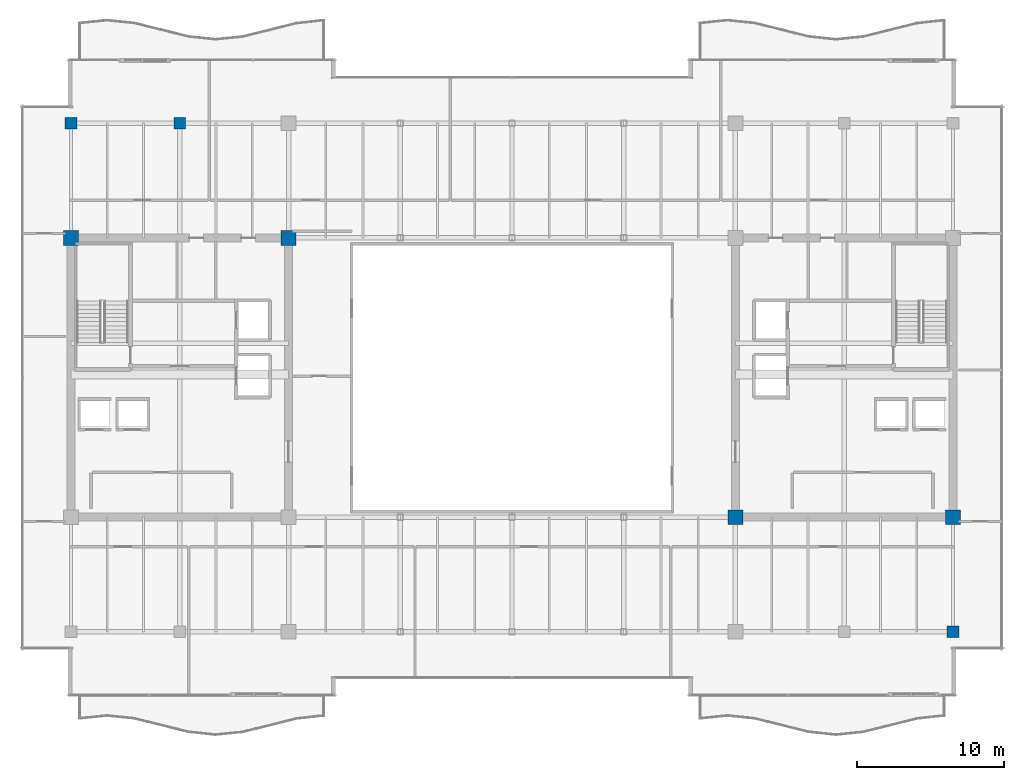
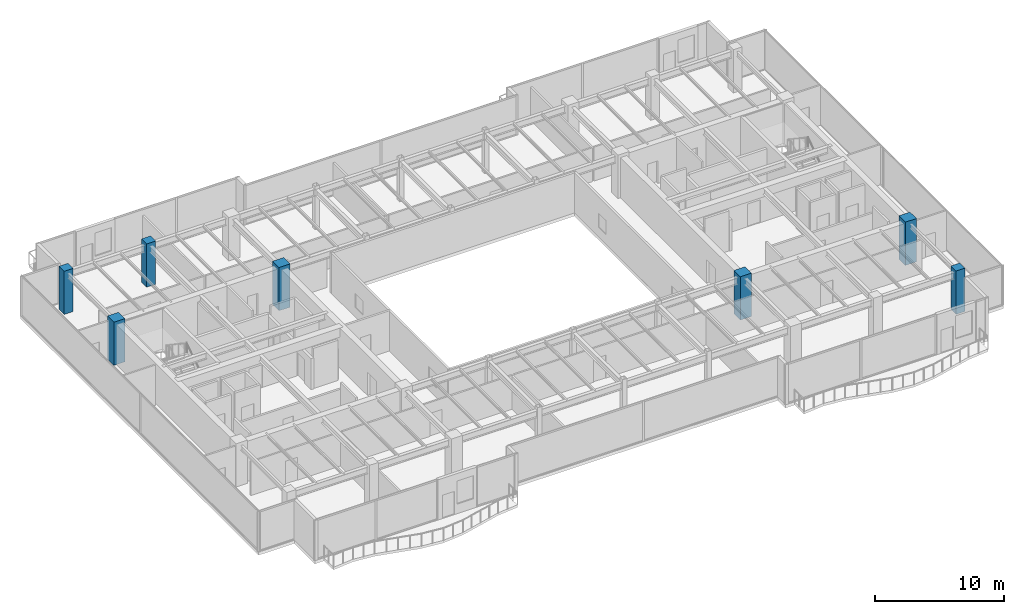
# One storey, part 2 of 34: 7 columns.
"""IFC4 building model written with IfcOpenShell, lengths in metres."""

from ifc_helpers import new_model, si_unit, direction, frame, origin, origin_2d, place, context, subcontext, project, spatial, rectangle, extrude, source, transform, mapped, material, material_profile, profile_set, type_object, type_shapes, element, save


model = new_model("IFC4")

# Units and contexts
model_context = context("Model", 3, precision=1e-05, world=origin(), true_north=direction((0.0, 1.0)))
body_context = subcontext(model_context, "Body", "Model", "MODEL_VIEW")
ifc_project = project(units=[si_unit("LENGTHUNIT", "METRE"), si_unit("AREAUNIT", "SQUARE_METRE"), si_unit("VOLUMEUNIT", "CUBIC_METRE"), si_unit("PLANEANGLEUNIT", "RADIAN"), si_unit("MASSUNIT", "GRAM", prefix="KILO")], contexts=[model_context])

# Site, building, storey
site_placement = place(None, origin())
site = spatial("IfcSite", under=ifc_project, at=site_placement, CompositionType="ELEMENT")
building_placement = place(site_placement, origin())
building = spatial("IfcBuilding", under=site, at=building_placement, Name="Haelvirn Gate Laboratories", CompositionType="ELEMENT")
storey_placement = place(building_placement, frame((0.0, 0.0, 246.5)))
storey = spatial("IfcBuildingStorey", under=building, at=storey_placement, Name="L59", CompositionType="ELEMENT", Elevation=246.5)

# Columns
ifc_material_1 = material(Name="Concrete C60/75", Category="concrete")
ifc_material_profile_1 = material_profile(ifc_material_1, rectangle(XDim=1.0, YDim=1.0, at=origin_2d()), Name="RC-1000x1000")
ifc_profile_set_1 = profile_set([ifc_material_profile_1], Name="Concrete C60/75")
column_type_1 = type_object("IfcColumnType", Name="COL-RC-1000", PredefinedType="COLUMN", material=ifc_profile_set_1)
shared_shape_1 = source(origin(), body_context, "Body", "SweptSolid", [
    extrude(rectangle(XDim=1.0, YDim=1.0, at=origin_2d()), origin(), (0.0, 0.0, 1.0), 4.10009765625),
])
type_shapes(column_type_1, [shared_shape_1])
for number, where, z_axis, x_axis, name in (
    (1, (7.39990234375, 33.800048828125, 0.0), (0.0, 0.0, 1.0), (1.0, 0.0, 0.0), "L59 Column 2F"),
    (2, (22.199951171875, 33.800048828125, 0.0), (0.0, 0.0, 1.0), (1.0, 0.0, 0.0), "L59 Column 4F"),
    (3, (52.60009765625, 14.800048828125, 0.0), (0.0, 0.0, 1.0), (1.0, 0.0, 0.0), "L59 Column 8C"),
    (4, (67.39990234375, 14.800048828125, 0.0), (0.0, 0.0, 1.0), (1.0, 0.0, 0.0), "L59 Column 10C"),
):
    element("IfcColumn", number, at=place(storey_placement, frame(where, z_axis=z_axis, x_axis=x_axis)), inside=storey, type_object=column_type_1, Name=name, PredefinedType="COLUMN", context=body_context, shape_type="MappedRepresentation", body=[
        mapped(shared_shape_1, transform((0.0, 0.0, 0.0), scale=1.0)),
    ])
ifc_material_2 = material(Name="Concrete C50/60", Category="concrete")
ifc_material_profile_2 = material_profile(ifc_material_2, rectangle(XDim=0.800048828125, YDim=0.800048828125, at=origin_2d()), Name="RC-800x800")
ifc_profile_set_2 = profile_set([ifc_material_profile_2], Name="Concrete C50/60")
column_type_2 = type_object("IfcColumnType", Name="COL-RC-800", PredefinedType="COLUMN", material=ifc_profile_set_2)
shared_shape_2 = source(origin(), body_context, "Body", "SweptSolid", [
    extrude(rectangle(XDim=0.800048828125, YDim=0.800048828125, at=origin_2d()), origin(), (0.0, 0.0, 1.0), 4.10009765625),
])
type_shapes(column_type_2, [shared_shape_2])
for number, where, z_axis, x_axis, name in (
    (5, (14.800048828125, 41.60009765625, 0.0), (0.0, 0.0, 1.0), (1.0, 0.0, 0.0), "L59 Column 3G"),
    (6, (7.39990234375, 41.60009765625, 0.0), (0.0, 0.0, 1.0), (1.0, 0.0, 0.0), "L59 Column 2G"),
    (7, (67.39990234375, 7.0, 0.0), (0.0, 0.0, 1.0), (1.0, 0.0, 0.0), "L59 Column 10B"),
):
    element("IfcColumn", number, at=place(storey_placement, frame(where, z_axis=z_axis, x_axis=x_axis)), inside=storey, type_object=column_type_2, Name=name, PredefinedType="COLUMN", context=body_context, shape_type="MappedRepresentation", body=[
        mapped(shared_shape_2, transform((0.0, 0.0, 0.0), scale=1.0)),
    ])

save(model, "model.ifc")
